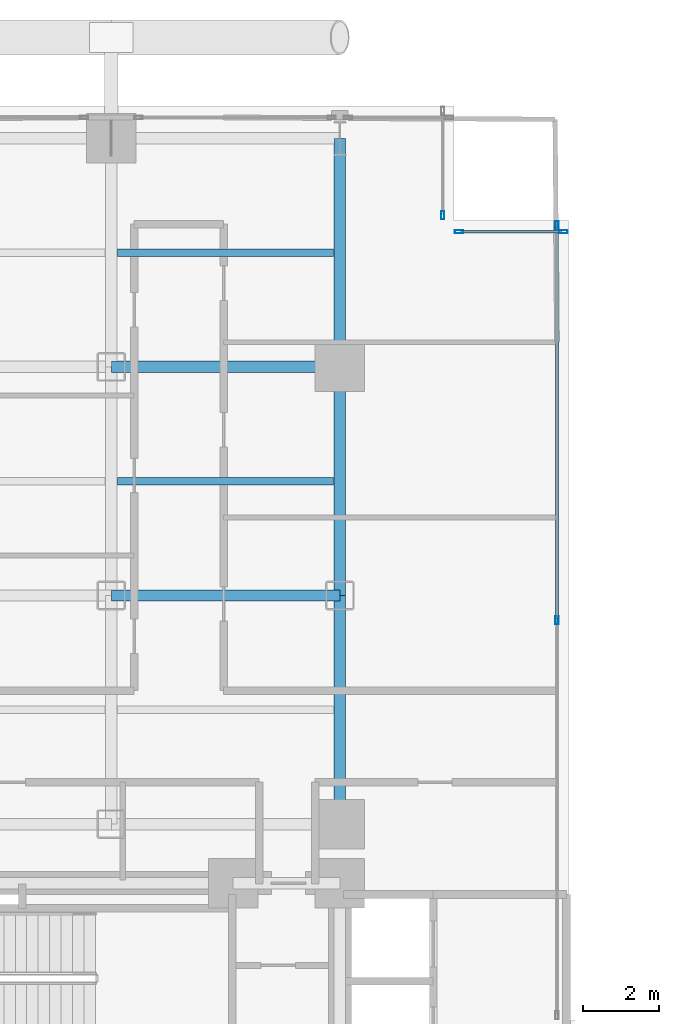
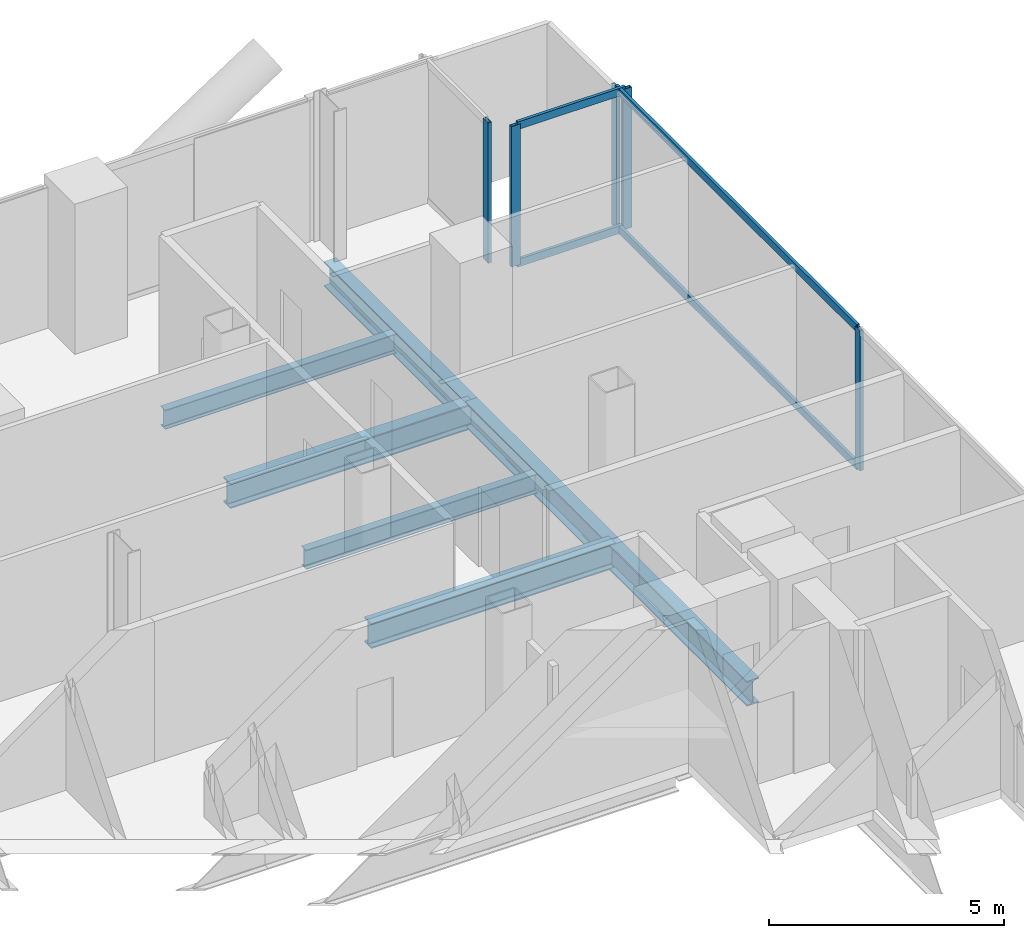
# One storey, part 15 of 25: 9 members, 7 beams, 3 elements without a shape of their own.
"""IFC4 building model written with IfcOpenShell, lengths in metres."""

from ifc_helpers import new_model, si_unit, direction, frame, origin, origin_2d, place, context, subcontext, project, spatial, hollow_rectangle, i_section, extrude, material, layer, layer_set, material_profile, profile_set, type_object, element, aggregate, save


model = new_model("IFC4")

# Units and contexts
model_context = context("Model", 3, precision=1e-05, world=origin(), true_north=direction((0.0, 1.0)))
body_context = subcontext(model_context, "Body", "Model", "MODEL_VIEW")
ifc_project = project(units=[si_unit("LENGTHUNIT", "METRE"), si_unit("AREAUNIT", "SQUARE_METRE"), si_unit("VOLUMEUNIT", "CUBIC_METRE"), si_unit("PLANEANGLEUNIT", "RADIAN"), si_unit("MASSUNIT", "GRAM", prefix="KILO"), si_unit("THERMODYNAMICTEMPERATUREUNIT", "KELVIN"), si_unit("POWERUNIT", "WATT")], contexts=[model_context])

# Site, building, storey
site_placement = place(None, origin())
site = spatial("IfcSite", under=ifc_project, at=site_placement, CompositionType="ELEMENT")
building_placement = place(site_placement, origin())
building = spatial("IfcBuilding", under=site, at=building_placement, Name="Svarakhadi Broadcast Tower", CompositionType="ELEMENT")
storey_placement = place(building_placement, frame((0.0, 0.0, 51.89990234375)))
storey = spatial("IfcBuildingStorey", under=building, at=storey_placement, Name="L11", CompositionType="ELEMENT", Elevation=51.89990234375)

# Beams
ifc_material_1 = material(Name="Steel S355J2 (IS 2062 E350C)", Category="steel")
ifc_material_profile_1 = material_profile(ifc_material_1, i_section(OverallWidth=0.199951171875, OverallDepth=0.5, WebThickness=0.01025390625, FlangeThickness=0.01611328125, FilletRadius=0.02099609375, at=origin_2d()), Name="NPB 500x200x91")
ifc_profile_set_1 = profile_set([ifc_material_profile_1], Name="Steel S355J2 (IS 2062 E350C)")
beam_type_1 = type_object("IfcBeamType", Name="Beam_NPB500", PredefinedType="BEAM", material=ifc_profile_set_1)
for number, where, z_axis, x_axis, name in (
    (1, (12.159912109375, 38.14990234375, -0.5), (1.0, 0.0, 0.0), (0.0, 1.0, 0.0), "L11 Secondary Composite Beam SB017"),
    (2, (12.159912109375, 44.14990234375, -0.5), (1.0, 0.0, 0.0), (0.0, 1.0, 0.0), "L11 Secondary Composite Beam SB018"),
):
    element("IfcBeam", number, at=place(storey_placement, frame(where, z_axis=z_axis, x_axis=x_axis)), inside=storey, type_object=beam_type_1, Name=name, PredefinedType="BEAM", context=body_context, shape_type="SweptSolid", body=[
        extrude(i_section(OverallWidth=0.199951171875, OverallDepth=0.5, WebThickness=0.01025390625, FlangeThickness=0.01611328125, FilletRadius=0.02099609375, at=origin_2d()), origin(), (0.0, 0.0, 1.0), 5.68017578125),
    ])

# Curtain wall, member
ifc_material_2 = material(Name="Anodised Bronze Aluminium AA 6063-T6", Category="aluminium")
ifc_layer = layer(ifc_material_2, 0.219970703125)
ifc_layer_set = layer_set([ifc_layer], Name="Anodised Bronze Aluminium AA 6063-T6")
curtain_wall_type = type_object("IfcCurtainWallType", Name="CW_Sys_02", PredefinedType="NOTDEFINED", material=ifc_layer_set)
curtain_wall_1_placement = place(storey_placement, origin())
curtain_wall_1 = element("IfcCurtainWall", 3, at=curtain_wall_1_placement, inside=storey, type_object=curtain_wall_type, Name="L11 Unitised Facade Curtain Wall 07", PredefinedType="NOTDEFINED")
ifc_material_profile_2 = material_profile(ifc_material_2, hollow_rectangle(XDim=0.0849609375, YDim=0.219970703125, WallThickness=0.006103515625, at=origin_2d()), Name="ALU MULLION 220x85x6")
ifc_profile_set_2 = profile_set([ifc_material_profile_2], Name="Anodised Bronze Aluminium AA 6063-T6")
member_type_1 = type_object("IfcMemberType", Name="CW_Sys_02_Mul", PredefinedType="MULLION", material=ifc_profile_set_2)
member_1_placement = place(storey_placement, frame((20.699951171875, 45.132568359375, 0.0), z_axis=(0.0, 0.0, 1.0), x_axis=(1.0, 0.0, 0.0)))
member_1 = element("IfcMember", 4, at=member_1_placement, type_object=member_type_1, Name="CW-02 mullion 2", PredefinedType="MULLION", context=body_context, shape_type="SweptSolid", body=[
    extrude(hollow_rectangle(XDim=0.0849609375, YDim=0.219970703125, WallThickness=0.006103515625, at=origin_2d()), origin(), (0.0, 0.0, 1.0), 3.650146484375),
])
aggregate(curtain_wall_1, [member_1])

# Curtain wall, members
curtain_wall_2_placement = place(storey_placement, origin())
curtain_wall_2 = element("IfcCurtainWall", 5, at=curtain_wall_2_placement, inside=storey, type_object=curtain_wall_type, Name="L11 Unitised Facade Curtain Wall 08", PredefinedType="NOTDEFINED")
member_2_placement = place(storey_placement, frame((21.132568359375, 44.699951171875, 0.0), z_axis=(0.0, 0.0, 1.0), x_axis=(0.0, 1.0, 0.0)))
member_2 = element("IfcMember", 6, at=member_2_placement, type_object=member_type_1, Name="CW-02 mullion 1", PredefinedType="MULLION", context=body_context, shape_type="SweptSolid", body=[
    extrude(hollow_rectangle(XDim=0.0849609375, YDim=0.219970703125, WallThickness=0.006103515625, at=origin_2d()), origin(), (0.0, 0.0, 1.0), 3.650146484375),
])
member_3_placement = place(storey_placement, frame((23.867431640625, 44.699951171875, 0.0), z_axis=(0.0, 0.0, 1.0), x_axis=(0.0, 1.0, 0.0)))
member_3 = element("IfcMember", 7, at=member_3_placement, type_object=member_type_1, Name="CW-02 mullion 2", PredefinedType="MULLION", context=body_context, shape_type="SweptSolid", body=[
    extrude(hollow_rectangle(XDim=0.0849609375, YDim=0.219970703125, WallThickness=0.006103515625, at=origin_2d()), origin(), (0.0, 0.0, 1.0), 3.650146484375),
])

curtain_wall_3_placement = place(storey_placement, origin())
curtain_wall_3 = element("IfcCurtainWall", 8, at=curtain_wall_3_placement, inside=storey, type_object=curtain_wall_type, Name="L11 Unitised Facade Curtain Wall 09", PredefinedType="NOTDEFINED")
member_4_placement = place(storey_placement, frame((23.699951171875, 44.867431640625, 0.0), z_axis=(0.0, 0.0, 1.0), x_axis=(1.0, 0.0, 0.0)))
member_4 = element("IfcMember", 9, at=member_4_placement, type_object=member_type_1, Name="CW-02 mullion 1", PredefinedType="MULLION", context=body_context, shape_type="SweptSolid", body=[
    extrude(hollow_rectangle(XDim=0.0849609375, YDim=0.219970703125, WallThickness=0.006103515625, at=origin_2d()), origin(), (0.0, 0.0, 1.0), 3.650146484375),
])
member_5_placement = place(storey_placement, frame((23.699951171875, 34.5, 0.0), z_axis=(0.0, 0.0, 1.0), x_axis=(1.0, 0.0, 0.0)))
member_5 = element("IfcMember", 10, at=member_5_placement, type_object=member_type_1, Name="CW-02 mullion 2", PredefinedType="MULLION", context=body_context, shape_type="SweptSolid", body=[
    extrude(hollow_rectangle(XDim=0.0849609375, YDim=0.219970703125, WallThickness=0.006103515625, at=origin_2d()), origin(), (0.0, 0.0, 1.0), 3.650146484375),
])

# Member
ifc_material_profile_3 = material_profile(ifc_material_2, hollow_rectangle(XDim=0.074951171875, YDim=0.199951171875, WallThickness=0.0048828125, at=origin_2d()), Name="ALU TRANSOM 200x75x5")
ifc_profile_set_3 = profile_set([ifc_material_profile_3], Name="Anodised Bronze Aluminium AA 6063-T6")
member_type_2 = type_object("IfcMemberType", Name="CW_Sys_02_Trn", PredefinedType="USERDEFINED", material=ifc_profile_set_3)
member_6_placement = place(storey_placement, frame((21.175048828125, 44.699951171875, 0.03759765625), z_axis=(1.0, 0.0, 0.0), x_axis=(0.0, 1.0, 0.0)))
member_6 = element("IfcMember", 11, at=member_6_placement, type_object=member_type_2, Name="CW-02 transom 1.1", ObjectType="TRANSOM", PredefinedType="USERDEFINED", context=body_context, shape_type="SweptSolid", body=[
    extrude(hollow_rectangle(XDim=0.074951171875, YDim=0.199951171875, WallThickness=0.0048828125, at=origin_2d()), origin(), (0.0, 0.0, 1.0), 2.64990234375),
])

member_7_placement = place(storey_placement, frame((21.175048828125, 44.699951171875, 3.612548828125), z_axis=(1.0, 0.0, 0.0), x_axis=(0.0, 1.0, 0.0)))
member_7 = element("IfcMember", 12, at=member_7_placement, type_object=member_type_2, Name="CW-02 transom 1.2", ObjectType="TRANSOM", PredefinedType="USERDEFINED", context=body_context, shape_type="SweptSolid", body=[
    extrude(hollow_rectangle(XDim=0.074951171875, YDim=0.199951171875, WallThickness=0.0048828125, at=origin_2d()), origin(), (0.0, 0.0, 1.0), 2.64990234375),
])

aggregate(curtain_wall_2, [member_2, member_3, member_6, member_7])

member_8_placement = place(storey_placement, frame((23.699951171875, 44.824951171875, 0.03759765625), z_axis=(0.0, -1.0, 0.0), x_axis=(1.0, 0.0, 0.0)))
member_8 = element("IfcMember", 13, at=member_8_placement, type_object=member_type_2, Name="CW-02 transom 1.1", ObjectType="TRANSOM", PredefinedType="USERDEFINED", context=body_context, shape_type="SweptSolid", body=[
    extrude(hollow_rectangle(XDim=0.074951171875, YDim=0.199951171875, WallThickness=0.0048828125, at=origin_2d()), origin(), (0.0, 0.0, 1.0), 10.282470703125),
])

member_9_placement = place(storey_placement, frame((23.699951171875, 44.824951171875, 3.612548828125), z_axis=(0.0, -1.0, 0.0), x_axis=(1.0, 0.0, 0.0)))
member_9 = element("IfcMember", 14, at=member_9_placement, type_object=member_type_2, Name="CW-02 transom 1.2", ObjectType="TRANSOM", PredefinedType="USERDEFINED", context=body_context, shape_type="SweptSolid", body=[
    extrude(hollow_rectangle(XDim=0.074951171875, YDim=0.199951171875, WallThickness=0.0048828125, at=origin_2d()), origin(), (0.0, 0.0, 1.0), 10.282470703125),
])

aggregate(curtain_wall_3, [member_4, member_5, member_8, member_9])

# Beams
ifc_material_profile_4 = material_profile(ifc_material_1, i_section(OverallWidth=0.300048828125, OverallDepth=0.64990234375, WebThickness=0.01611328125, FlangeThickness=0.031005859375, FilletRadius=0.027099609375, at=origin_2d()), Name="WPB 650x300x225")
ifc_profile_set_4 = profile_set([ifc_material_profile_4], Name="Steel S355J2 (IS 2062 E350C)")
beam_type_2 = type_object("IfcBeamType", Name="Girder_WPB650", PredefinedType="USERDEFINED", material=ifc_profile_set_4)
for number, where, z_axis, x_axis, name in (
    (15, (12.0, 35.14990234375, -0.574951171875), (1.0, 0.0, 0.0), (0.0, 1.0, 0.0), "L11 Primary E-W Girder G039"),
    (16, (12.0, 41.14990234375, -0.574951171875), (1.0, 0.0, 0.0), (0.0, 1.0, 0.0), "L11 Primary E-W Girder G042"),
    (17, (18.0, 29.14990234375, -0.574951171875), (0.0, 1.0, 0.0), (-1.0, 0.0, 0.0), "L11 Primary N-S Girder G068"),
    (18, (18.0, 35.14990234375, -0.574951171875), (0.0, 1.0, 0.0), (-1.0, 0.0, 0.0), "L11 Primary N-S Girder G069"),
    (19, (18.0, 41.14990234375, -0.574951171875), (0.0, 1.0, 0.0), (-1.0, 0.0, 0.0), "L11 Primary N-S Girder G070"),
):
    element("IfcBeam", number, at=place(storey_placement, frame(where, z_axis=z_axis, x_axis=x_axis)), inside=storey, type_object=beam_type_2, Name=name, ObjectType="GIRDER", PredefinedType="USERDEFINED", context=body_context, shape_type="SweptSolid", body=[
        extrude(i_section(OverallWidth=0.300048828125, OverallDepth=0.64990234375, WebThickness=0.01611328125, FlangeThickness=0.031005859375, FilletRadius=0.027099609375, at=origin_2d()), origin(), (0.0, 0.0, 1.0), 6.0),
    ])

save(model, "model.ifc")
